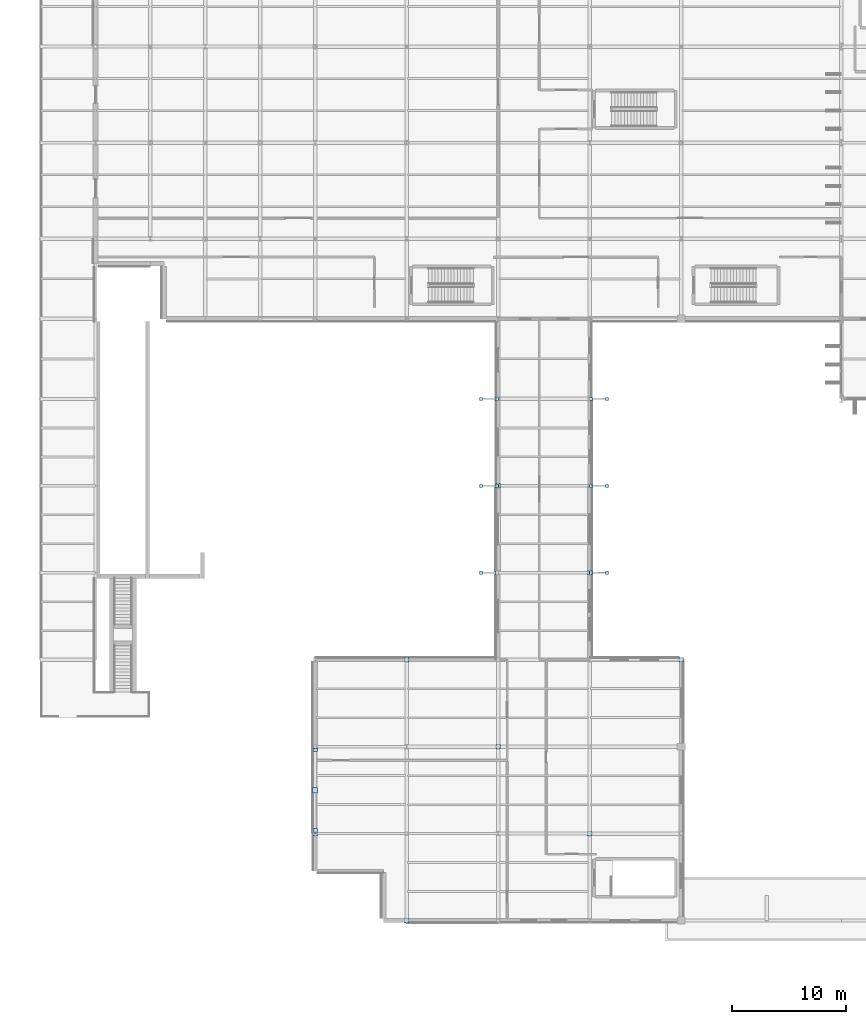
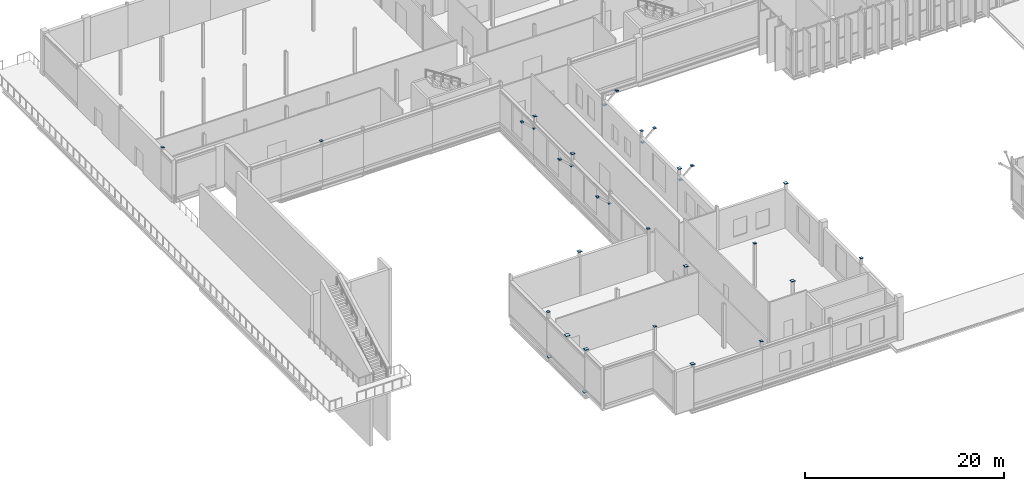
# One storey, part 107 of 147: 33 plates.
"""IFC4 building model written with IfcOpenShell, lengths in metres."""

from ifc_helpers import new_model, si_unit, direction, frame, origin, origin_2d, place, context, subcontext, project, spatial, rectangle, extrude, material, layer, layer_set, type_object, element, save


model = new_model("IFC4")

# Units and contexts
model_context = context("Model", 3, precision=1e-05, world=origin(), true_north=direction((0.0, 1.0)))
body_context = subcontext(model_context, "Body", "Model", "MODEL_VIEW")
ifc_project = project(units=[si_unit("LENGTHUNIT", "METRE"), si_unit("AREAUNIT", "SQUARE_METRE"), si_unit("VOLUMEUNIT", "CUBIC_METRE"), si_unit("PLANEANGLEUNIT", "RADIAN"), si_unit("MASSUNIT", "GRAM", prefix="KILO")], contexts=[model_context])

# Site, building, storey
site_placement = place(None, origin())
site = spatial("IfcSite", under=ifc_project, at=site_placement, CompositionType="ELEMENT")
building_placement = place(site_placement, origin())
building = spatial("IfcBuilding", under=site, at=building_placement, Name="Vekula Escarpment Museum", CompositionType="ELEMENT")
storey_placement = place(building_placement, frame((0.0, 0.0, 7.800048828125)))
storey = spatial("IfcBuildingStorey", under=building, at=storey_placement, Name="L02", CompositionType="ELEMENT", Elevation=7.800048828125)

# Plates
ifc_material_1 = material(Name="Steel S355", Category="steel")
ifc_layer_1 = layer(ifc_material_1, 0.01611328125)
ifc_layer_set_1 = layer_set([ifc_layer_1], Name="Steel S355")
plate_type_1 = type_object("IfcPlateType", Name="PL-CAP-16", PredefinedType="SHEET", material=ifc_layer_set_1)
for number, where, z_axis, x_axis, name in (
    (1, (39.88525390625, 30.39990234375, 3.89404296875), (0.0, 0.0, 1.0), (1.0, 0.0, 0.0), "Hollow section end cap CP-16"),
    (2, (38.49462890625, 30.39990234375, 5.163818359375), (0.0, 0.0, 1.0), (1.0, 0.0, 0.0), "Hollow section end cap CP-16"),
    (3, (39.88525390625, 38.0, 3.89404296875), (0.0, 0.0, 1.0), (1.0, 0.0, 0.0), "Hollow section end cap CP-16"),
    (4, (38.49462890625, 38.0, 5.163818359375), (0.0, 0.0, 1.0), (1.0, 0.0, 0.0), "Hollow section end cap CP-16"),
    (5, (39.88525390625, 45.60009765625, 3.89404296875), (0.0, 0.0, 1.0), (1.0, 0.0, 0.0), "Hollow section end cap CP-16"),
    (6, (38.49462890625, 45.60009765625, 5.163818359375), (0.0, 0.0, 1.0), (1.0, 0.0, 0.0), "Hollow section end cap CP-16"),
    (7, (48.11474609375, 30.39990234375, 3.89404296875), (0.0, 0.0, 1.0), (1.0, 0.0, 0.0), "Hollow section end cap CP-16"),
    (8, (49.50537109375, 30.39990234375, 5.163818359375), (0.0, 0.0, 1.0), (1.0, 0.0, 0.0), "Hollow section end cap CP-16"),
    (9, (48.11474609375, 38.0, 3.89404296875), (0.0, 0.0, 1.0), (1.0, 0.0, 0.0), "Hollow section end cap CP-16"),
    (10, (49.50537109375, 38.0, 5.163818359375), (0.0, 0.0, 1.0), (1.0, 0.0, 0.0), "Hollow section end cap CP-16"),
    (11, (48.11474609375, 45.60009765625, 3.89404296875), (0.0, 0.0, 1.0), (1.0, 0.0, 0.0), "Hollow section end cap CP-16"),
    (12, (49.50537109375, 45.60009765625, 5.163818359375), (0.0, 0.0, 1.0), (1.0, 0.0, 0.0), "Hollow section end cap CP-16"),
):
    element("IfcPlate", number, at=place(storey_placement, frame(where, z_axis=z_axis, x_axis=x_axis)), inside=storey, type_object=plate_type_1, Name=name, PredefinedType="SHEET", context=body_context, shape_type="SweptSolid", body=[
        extrude(rectangle(XDim=0.280029296875, YDim=0.280029296875, at=origin_2d()), origin(), (0.0, 0.0, 1.0), 0.10205078125),
    ])
ifc_material_2 = material(Name="Steel S355", Category="steel")
ifc_layer_2 = layer(ifc_material_2, 0.02001953125)
ifc_layer_set_2 = layer_set([ifc_layer_2], Name="Steel S355")
plate_type_2 = type_object("IfcPlateType", Name="PL-CAP-20", PredefinedType="SHEET", material=ifc_layer_set_2)
for number, where, z_axis, x_axis, name in (
    (13, (4.800048828125, 59.60009765625, 5.39794921875), (0.0, 0.0, 1.0), (1.0, 0.0, 0.0), "Hollow section end cap CP-20"),
    (14, (19.199951171875, 52.60009765625, 5.39794921875), (0.0, 0.0, 1.0), (1.0, 0.0, 0.0), "Hollow section end cap CP-20"),
):
    element("IfcPlate", number, at=place(storey_placement, frame(where, z_axis=z_axis, x_axis=x_axis)), inside=storey, type_object=plate_type_2, Name=name, PredefinedType="SHEET", context=body_context, shape_type="SweptSolid", body=[
        extrude(rectangle(XDim=0.300048828125, YDim=0.300048828125, at=origin_2d()), origin(), (0.0, 0.0, 1.0), 0.02001953125),
    ])
plate_1_placement = place(storey_placement, frame((24.0, 7.60009765625, 5.39794921875), z_axis=(0.0, 0.0, 1.0), x_axis=(1.0, 0.0, 0.0)))
element("IfcPlate", 15, at=plate_1_placement, inside=storey, type_object=plate_type_2, Name="Hollow section end cap CP-20", PredefinedType="SHEET", context=body_context, shape_type="SweptSolid", body=[
    extrude(rectangle(XDim=0.3955078125, YDim=0.3955078125, at=origin_2d()), origin(), (0.0, 0.0, 1.0), 0.02001953125),
])
plate_2_placement = place(storey_placement, frame((24.0, 15.199951171875, 5.39794921875), z_axis=(0.0, 0.0, 1.0), x_axis=(1.0, 0.0, 0.0)))
element("IfcPlate", 16, at=plate_2_placement, inside=storey, type_object=plate_type_2, Name="Hollow section end cap CP-20", PredefinedType="SHEET", context=body_context, shape_type="SweptSolid", body=[
    extrude(rectangle(XDim=0.300048828125, YDim=0.300048828125, at=origin_2d()), origin(), (0.0, 0.0, 1.0), 0.02001953125),
])
plate_3_placement = place(storey_placement, frame((32.0, 0.0, 5.39794921875), z_axis=(0.0, 0.0, 1.0), x_axis=(1.0, 0.0, 0.0)))
element("IfcPlate", 17, at=plate_3_placement, inside=storey, type_object=plate_type_2, Name="Hollow section end cap CP-20", PredefinedType="SHEET", context=body_context, shape_type="SweptSolid", body=[
    extrude(rectangle(XDim=0.3955078125, YDim=0.3955078125, at=origin_2d()), origin(), (0.0, 0.0, 1.0), 0.02001953125),
])
plate_4_placement = place(storey_placement, frame((32.0, 7.60009765625, 5.39794921875), z_axis=(0.0, 0.0, 1.0), x_axis=(1.0, 0.0, 0.0)))
element("IfcPlate", 18, at=plate_4_placement, inside=storey, type_object=plate_type_2, Name="Hollow section end cap CP-20", PredefinedType="SHEET", context=body_context, shape_type="SweptSolid", body=[
    extrude(rectangle(XDim=0.300048828125, YDim=0.300048828125, at=origin_2d()), origin(), (0.0, 0.0, 1.0), 0.02001953125),
])
plate_5_placement = place(storey_placement, frame((32.0, 22.800048828125, 5.39794921875), z_axis=(0.0, 0.0, 1.0), x_axis=(1.0, 0.0, 0.0)))
element("IfcPlate", 19, at=plate_5_placement, inside=storey, type_object=plate_type_2, Name="Hollow section end cap CP-20", PredefinedType="SHEET", context=body_context, shape_type="SweptSolid", body=[
    extrude(rectangle(XDim=0.3955078125, YDim=0.3955078125, at=origin_2d()), origin(), (0.0, 0.0, 1.0), 0.02001953125),
])
plate_6_placement = place(storey_placement, frame((40.0, 0.0, 5.39794921875), z_axis=(0.0, 0.0, 1.0), x_axis=(1.0, 0.0, 0.0)))
element("IfcPlate", 20, at=plate_6_placement, inside=storey, type_object=plate_type_2, Name="Hollow section end cap CP-20", PredefinedType="SHEET", context=body_context, shape_type="SweptSolid", body=[
    extrude(rectangle(XDim=0.300048828125, YDim=0.300048828125, at=origin_2d()), origin(), (0.0, 0.0, 1.0), 0.02001953125),
])
plate_7_placement = place(storey_placement, frame((40.0, 15.199951171875, 5.39794921875), z_axis=(0.0, 0.0, 1.0), x_axis=(1.0, 0.0, 0.0)))
element("IfcPlate", 21, at=plate_7_placement, inside=storey, type_object=plate_type_2, Name="Hollow section end cap CP-20", PredefinedType="SHEET", context=body_context, shape_type="SweptSolid", body=[
    extrude(rectangle(XDim=0.3955078125, YDim=0.3955078125, at=origin_2d()), origin(), (0.0, 0.0, 1.0), 0.02001953125),
])
plate_8_placement = place(storey_placement, frame((40.0, 22.800048828125, 5.39794921875), z_axis=(0.0, 0.0, 1.0), x_axis=(1.0, 0.0, 0.0)))
element("IfcPlate", 22, at=plate_8_placement, inside=storey, type_object=plate_type_2, Name="Hollow section end cap CP-20", PredefinedType="SHEET", context=body_context, shape_type="SweptSolid", body=[
    extrude(rectangle(XDim=0.300048828125, YDim=0.300048828125, at=origin_2d()), origin(), (0.0, 0.0, 1.0), 0.02001953125),
])
plate_9_placement = place(storey_placement, frame((40.0, 38.0, 5.39794921875), z_axis=(0.0, 0.0, 1.0), x_axis=(1.0, 0.0, 0.0)))
element("IfcPlate", 23, at=plate_9_placement, inside=storey, type_object=plate_type_2, Name="Hollow section end cap CP-20", PredefinedType="SHEET", context=body_context, shape_type="SweptSolid", body=[
    extrude(rectangle(XDim=0.3955078125, YDim=0.3955078125, at=origin_2d()), origin(), (0.0, 0.0, 1.0), 0.02001953125),
])
plate_10_placement = place(storey_placement, frame((40.0, 45.60009765625, 5.39794921875), z_axis=(0.0, 0.0, 1.0), x_axis=(1.0, 0.0, 0.0)))
element("IfcPlate", 24, at=plate_10_placement, inside=storey, type_object=plate_type_2, Name="Hollow section end cap CP-20", PredefinedType="SHEET", context=body_context, shape_type="SweptSolid", body=[
    extrude(rectangle(XDim=0.300048828125, YDim=0.300048828125, at=origin_2d()), origin(), (0.0, 0.0, 1.0), 0.02001953125),
])
plate_11_placement = place(storey_placement, frame((48.0, 7.60009765625, 5.39794921875), z_axis=(0.0, 0.0, 1.0), x_axis=(1.0, 0.0, 0.0)))
element("IfcPlate", 25, at=plate_11_placement, inside=storey, type_object=plate_type_2, Name="Hollow section end cap CP-20", PredefinedType="SHEET", context=body_context, shape_type="SweptSolid", body=[
    extrude(rectangle(XDim=0.3955078125, YDim=0.3955078125, at=origin_2d()), origin(), (0.0, 0.0, 1.0), 0.02001953125),
])
plate_12_placement = place(storey_placement, frame((48.0, 15.199951171875, 5.39794921875), z_axis=(0.0, 0.0, 1.0), x_axis=(1.0, 0.0, 0.0)))
element("IfcPlate", 26, at=plate_12_placement, inside=storey, type_object=plate_type_2, Name="Hollow section end cap CP-20", PredefinedType="SHEET", context=body_context, shape_type="SweptSolid", body=[
    extrude(rectangle(XDim=0.300048828125, YDim=0.300048828125, at=origin_2d()), origin(), (0.0, 0.0, 1.0), 0.02001953125),
])
plate_13_placement = place(storey_placement, frame((48.0, 30.39990234375, 5.39794921875), z_axis=(0.0, 0.0, 1.0), x_axis=(1.0, 0.0, 0.0)))
element("IfcPlate", 27, at=plate_13_placement, inside=storey, type_object=plate_type_2, Name="Hollow section end cap CP-20", PredefinedType="SHEET", context=body_context, shape_type="SweptSolid", body=[
    extrude(rectangle(XDim=0.3955078125, YDim=0.3955078125, at=origin_2d()), origin(), (0.0, 0.0, 1.0), 0.02001953125),
])
for number, where, z_axis, x_axis, name in (
    (28, (48.0, 38.0, 5.39794921875), (0.0, 0.0, 1.0), (1.0, 0.0, 0.0), "Hollow section end cap CP-20"),
    (29, (56.0, 7.60009765625, 5.39794921875), (0.0, 0.0, 1.0), (1.0, 0.0, 0.0), "Hollow section end cap CP-20"),
):
    element("IfcPlate", number, at=place(storey_placement, frame(where, z_axis=z_axis, x_axis=x_axis)), inside=storey, type_object=plate_type_2, Name=name, PredefinedType="SHEET", context=body_context, shape_type="SweptSolid", body=[
        extrude(rectangle(XDim=0.300048828125, YDim=0.300048828125, at=origin_2d()), origin(), (0.0, 0.0, 1.0), 0.02001953125),
    ])
plate_14_placement = place(storey_placement, frame((56.0, 22.800048828125, 5.39794921875), z_axis=(0.0, 0.0, 1.0), x_axis=(1.0, 0.0, 0.0)))
element("IfcPlate", 30, at=plate_14_placement, inside=storey, type_object=plate_type_2, Name="Hollow section end cap CP-20", PredefinedType="SHEET", context=body_context, shape_type="SweptSolid", body=[
    extrude(rectangle(XDim=0.3955078125, YDim=0.3955078125, at=origin_2d()), origin(), (0.0, 0.0, 1.0), 0.02001953125),
])
ifc_material_3 = material(Name="Steel S355", Category="steel")
ifc_layer_3 = layer(ifc_material_3, 0.02392578125)
ifc_layer_set_3 = layer_set([ifc_layer_3], Name="Steel S355")
plate_type_3 = type_object("IfcPlateType", Name="PL-CAP-24", PredefinedType="SHEET", material=ifc_layer_set_3)
for number, where, z_axis, x_axis, name in (
    (31, (24.0, 7.843505859375, -0.035888671875), (0.0, 0.0, 1.0), (1.0, 0.0, 0.0), "Hollow section end cap CP-24"),
    (32, (24.0, 14.95654296875, -0.035888671875), (0.0, 0.0, 1.0), (1.0, 0.0, 0.0), "Hollow section end cap CP-24"),
):
    element("IfcPlate", number, at=place(storey_placement, frame(where, z_axis=z_axis, x_axis=x_axis)), inside=storey, type_object=plate_type_3, Name=name, PredefinedType="SHEET", context=body_context, shape_type="SweptSolid", body=[
        extrude(rectangle(XDim=0.3798828125, YDim=0.3798828125, at=origin_2d()), origin(), (0.0, 0.0, 1.0), 0.09423828125),
    ])
ifc_material_4 = material(Name="Steel S355", Category="steel")
ifc_layer_4 = layer(ifc_material_4, 0.0400390625)
ifc_layer_set_4 = layer_set([ifc_layer_4], Name="Steel S355")
plate_type_4 = type_object("IfcPlateType", Name="PL-CAP-40", PredefinedType="SHEET", material=ifc_layer_set_4)
plate_15_placement = place(storey_placement, frame((24.0, 11.39990234375, 4.7978515625), z_axis=(0.0, 0.0, 1.0), x_axis=(1.0, 0.0, 0.0)))
element("IfcPlate", 33, at=plate_15_placement, inside=storey, type_object=plate_type_4, Name="Hollow section end cap GP-40", PredefinedType="SHEET", context=body_context, shape_type="SweptSolid", body=[
    extrude(rectangle(XDim=0.4599609375, YDim=0.4599609375, at=origin_2d()), origin(), (0.0, 0.0, 1.0), 0.0400390625),
])

save(model, "model.ifc")
